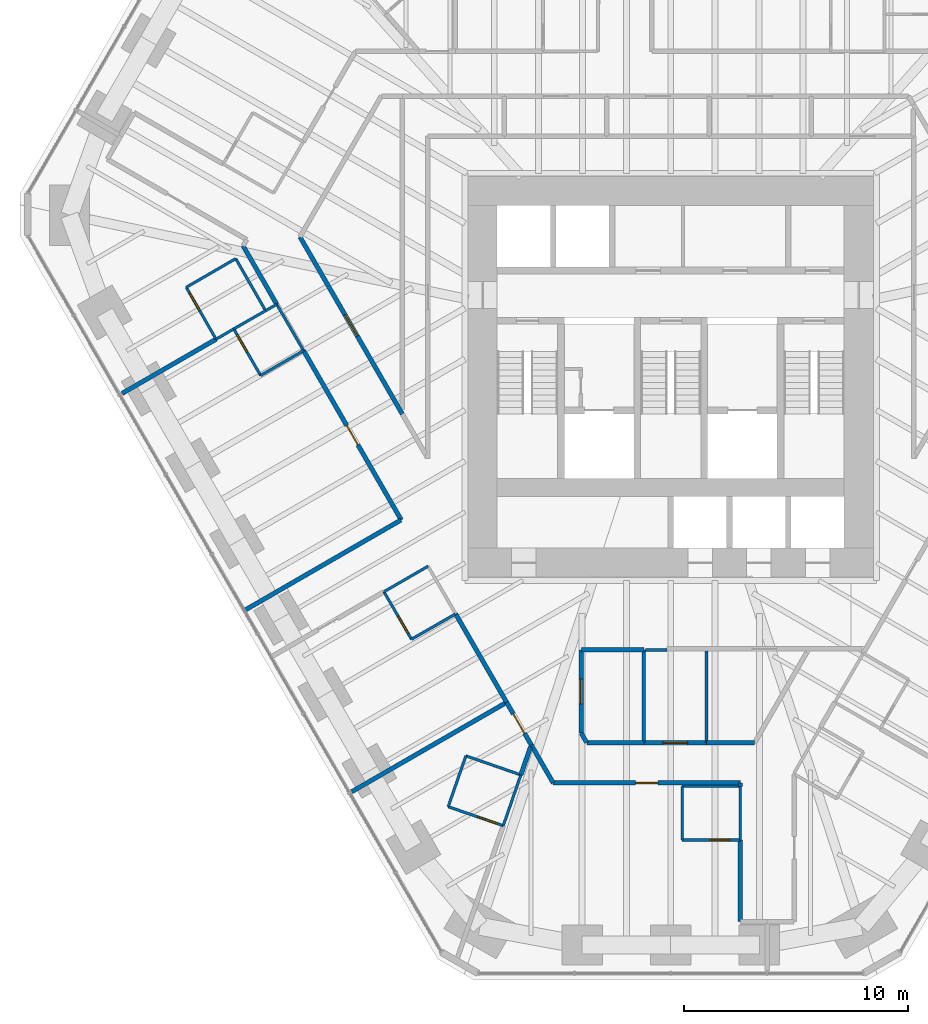
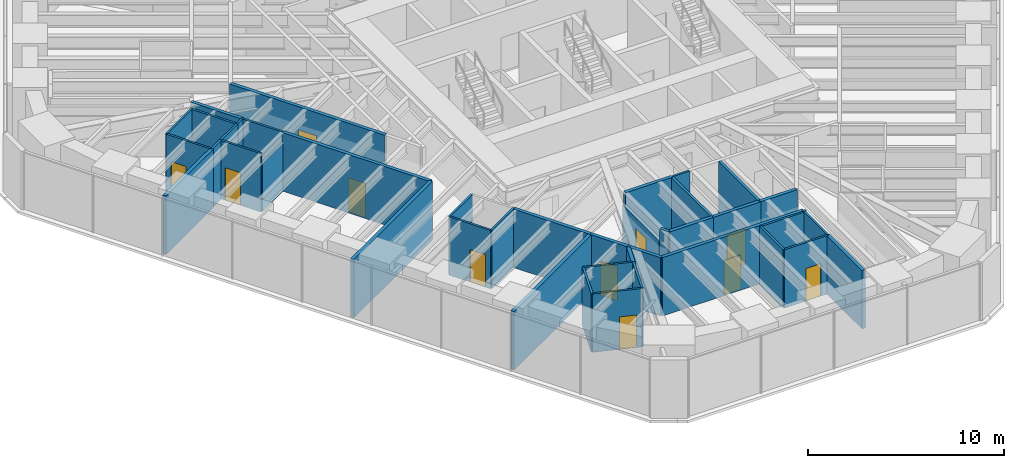
# One storey, part 11 of 17: 42 walls, 11 doors, 11 openings.
"""IFC4 building model written with IfcOpenShell, lengths in metres."""

from ifc_helpers import new_model, si_unit, direction, frame, frame_2d, origin, place, context, subcontext, project, spatial, rectangle, extrude, material, layer, layer_set, type_object, element, fill, save


model = new_model("IFC4")

# Units and contexts
model_context = context("Model", 3, precision=1e-05, world=origin(), true_north=direction((0.0, 1.0)))
body_context = subcontext(model_context, "Body", "Model", "MODEL_VIEW")
ifc_project = project(units=[si_unit("LENGTHUNIT", "METRE"), si_unit("AREAUNIT", "SQUARE_METRE"), si_unit("VOLUMEUNIT", "CUBIC_METRE"), si_unit("PLANEANGLEUNIT", "RADIAN"), si_unit("MASSUNIT", "GRAM", prefix="KILO")], contexts=[model_context])

# Site, building, storey
site_placement = place(None, origin())
site = spatial("IfcSite", under=ifc_project, at=site_placement, CompositionType="ELEMENT")
building_placement = place(site_placement, origin())
building = spatial("IfcBuilding", under=site, at=building_placement, Name="Sandreach Pilgrim Tower", CompositionType="ELEMENT")
storey_placement = place(building_placement, frame((0.0, 0.0, 138.60009765625)))
storey = spatial("IfcBuildingStorey", under=building, at=storey_placement, Name="L34", CompositionType="ELEMENT", Elevation=138.60009765625)

# Walls
ifc_material_1 = material(Name="Gypsum board on steel studs", Category="steel")
ifc_layer_1 = layer(ifc_material_1, 0.14990234375)
ifc_layer_set_1 = layer_set([ifc_layer_1], Name="Back of house wall 150")
wall_type_1 = type_object("IfcWallType", Name="Back of house wall 150", PredefinedType="PARTITIONING", material=ifc_layer_set_1)
wall_1_placement = place(storey_placement, frame((-1.199951171875, -13.75, 0.0), z_axis=(0.0, 0.0, 1.0), x_axis=(0.0, -1.0, 0.0)))
element("IfcWall", 1, at=wall_1_placement, inside=storey, type_object=wall_type_1, Name="Back of house wall L34-073", PredefinedType="PARTITIONING", context=body_context, shape_type="SweptSolid", body=[
    extrude(rectangle(XDim=4.139892578125, YDim=0.14990234375, at=frame_2d((2.06982421875, 0.0))), origin(), (0.0, 0.0, 1.0), 3.639892578125),
])
wall_2_placement = place(storey_placement, frame((1.60009765625, -13.800048828125, 0.0), z_axis=(0.0, 0.0, 1.0), x_axis=(0.0, -1.0, 0.0)))
element("IfcWall", 2, at=wall_2_placement, inside=storey, type_object=wall_type_1, Name="Back of house wall L34-079", PredefinedType="PARTITIONING", context=body_context, shape_type="SweptSolid", body=[
    extrude(rectangle(XDim=4.08984375, YDim=0.14990234375, at=frame_2d((2.044921875, 0.0))), origin(), (0.0, 0.0, 1.0), 3.639892578125),
])

# Wall, opening, door
ifc_material_2 = material(Name="Moisture-resistant gypsum board on steel studs", Category="steel")
ifc_layer_2 = layer(ifc_material_2, 0.1201171875)
ifc_layer_set_2 = layer_set([ifc_layer_2], Name="Bathroom partition 120")
wall_type_2 = type_object("IfcWallType", Name="Bathroom partition 120", PredefinedType="PARTITIONING", material=ifc_layer_set_2)
wall_3_placement = place(storey_placement, frame((-21.639892578125, 2.449951171875, 0.0), z_axis=(0.0, 0.0, 1.0), x_axis=(0.497288831399, -0.867585049529, 0.0)))
wall_3 = element("IfcWall", 3, at=wall_3_placement, inside=storey, type_object=wall_type_2, Name="Bathroom partition L34-007", PredefinedType="PARTITIONING", context=body_context, shape_type="SweptSolid", body=[
    extrude(rectangle(XDim=2.674072265625, YDim=0.1201171875, at=frame_2d((1.3369140625, 0.0))), origin(), (0.0, 0.0, 1.0), 3.639892578125),
])
opening_1_placement = place(wall_3_placement, frame((0.300048828125, 0.0, 0.0)))
opening_1 = element("IfcOpeningElement", 4, at=opening_1_placement, cuts=wall_3, Name="Opening D09-14B", PredefinedType="OPENING", context=body_context, shape_type="SweptSolid", body=[
    extrude(rectangle(XDim=0.89990234375, YDim=2.030029296875, at=frame_2d((0.449951171875, 1.01513671875))), frame((0.0, 0.06005859375, 0.0), z_axis=(0.0, -1.0, 0.0), x_axis=(1.0, 0.0, 0.0)), (0.0, 0.0, 1.0), 0.1201171875),
])
ifc_material_3 = material(Name="Timber door, steel frame", Category="steel")
door_type_1 = type_object("IfcDoorType", Name="Bathroom door", OperationType="SINGLE_SWING_LEFT", PredefinedType="DOOR", material=ifc_material_3)
door_1_placement = place(opening_1_placement, origin())
door_1 = element("IfcDoor", 5, at=door_1_placement, inside=storey, type_object=door_type_1, Name="Door 3414B", OperationType="SINGLE_SWING_LEFT", OverallHeight=2.030029296875, OverallWidth=0.89990234375, PredefinedType="DOOR", context=body_context, shape_type="SweptSolid", body=[
    extrude(rectangle(XDim=0.89990234375, YDim=2.030029296875, at=frame_2d((0.449951171875, 1.01513671875))), frame((0.0, 0.02490234375, 0.0), z_axis=(0.0, -1.0, 0.0), x_axis=(1.0, 0.0, 0.0)), (0.0, 0.0, 1.0), 0.050048828125),
])
fill(opening_1, door_1)

# Wall
wall_4_placement = place(storey_placement, frame((-20.31005859375, 0.1298828125, 0.0), z_axis=(0.0, 0.0, 1.0), x_axis=(0.864088651014, 0.503339649926, 0.0)))
element("IfcWall", 6, at=wall_4_placement, inside=storey, type_object=wall_type_2, Name="Bathroom partition L34-008", PredefinedType="PARTITIONING", context=body_context, shape_type="SweptSolid", body=[
    extrude(rectangle(XDim=0.914306640625, YDim=0.1201171875, at=frame_2d((0.45703125, 0.0))), origin(), (0.0, 0.0, 1.0), 3.639892578125),
])

# Wall, opening, door
wall_5_placement = place(storey_placement, frame((-19.52001953125, 0.590087890625, 0.0), z_axis=(0.0, 0.0, 1.0), x_axis=(0.499693115345, -0.866202511239, 0.0)))
wall_5 = element("IfcWall", 7, at=wall_5_placement, inside=storey, type_object=wall_type_2, Name="Bathroom partition L34-010", PredefinedType="PARTITIONING", context=body_context, shape_type="SweptSolid", body=[
    extrude(rectangle(XDim=2.4013671875, YDim=0.1201171875, at=frame_2d((1.20068359375, 0.0))), origin(), (0.0, 0.0, 1.0), 3.639892578125),
])
opening_2_placement = place(wall_5_placement, frame((0.300048828125, 0.0, 0.0)))
opening_2 = element("IfcOpeningElement", 8, at=opening_2_placement, cuts=wall_5, Name="Opening D09-13B", PredefinedType="OPENING", context=body_context, shape_type="SweptSolid", body=[
    extrude(rectangle(XDim=0.89990234375, YDim=2.030029296875, at=frame_2d((0.449951171875, 1.01513671875))), frame((0.0, 0.06005859375, 0.0), z_axis=(0.0, -1.0, 0.0), x_axis=(1.0, 0.0, 0.0)), (0.0, 0.0, 1.0), 0.1201171875),
])
door_2_placement = place(opening_2_placement, origin())
door_2 = element("IfcDoor", 9, at=door_2_placement, inside=storey, type_object=door_type_1, Name="Door 3413B", OperationType="SINGLE_SWING_LEFT", OverallHeight=2.030029296875, OverallWidth=0.89990234375, PredefinedType="DOOR", context=body_context, shape_type="SweptSolid", body=[
    extrude(rectangle(XDim=0.89990234375, YDim=2.030029296875, at=frame_2d((0.449951171875, 1.01513671875))), frame((0.0, 0.02490234375, 0.0), z_axis=(0.0, -1.0, 0.0), x_axis=(1.0, 0.0, 0.0)), (0.0, 0.0, 1.0), 0.050048828125),
])
fill(opening_2, door_2)

# Walls
wall_6_placement = place(storey_placement, frame((-19.52001953125, 0.590087890625, 0.0), z_axis=(0.0, 0.0, 1.0), x_axis=(0.868013991935, 0.496539736381, 0.0)))
element("IfcWall", 10, at=wall_6_placement, inside=storey, type_object=wall_type_2, Name="Bathroom partition L34-011", PredefinedType="PARTITIONING", context=body_context, shape_type="SweptSolid", body=[
    extrude(rectangle(XDim=1.6396484375, YDim=0.1201171875, at=frame_2d((0.81982421875, 0.0))), origin(), (0.0, 0.0, 1.0), 3.639892578125),
])
wall_7_placement = place(storey_placement, frame((-19.429931640625, 3.72998046875, 0.0), z_axis=(0.0, 0.0, 1.0), x_axis=(-0.865328095335, -0.50120583339, 0.0)))
element("IfcWall", 11, at=wall_7_placement, inside=storey, type_object=wall_type_2, Name="Bathroom partition L34-012", PredefinedType="PARTITIONING", context=body_context, shape_type="SweptSolid", body=[
    extrude(rectangle(XDim=2.553955078125, YDim=0.1201171875, at=frame_2d((1.27685546875, 0.0))), origin(), (0.0, 0.0, 1.0), 3.639892578125),
])
wall_8_placement = place(storey_placement, frame((-18.320068359375, -1.489990234375, 0.0), z_axis=(0.0, 0.0, 1.0), x_axis=(0.865732595383, 0.500506816428, 0.0)))
element("IfcWall", 12, at=wall_8_placement, inside=storey, type_object=wall_type_2, Name="Bathroom partition L34-017", PredefinedType="PARTITIONING", context=body_context, shape_type="SweptSolid", body=[
    extrude(rectangle(XDim=2.218017578125, YDim=0.1201171875, at=frame_2d((1.10888671875, 0.0))), origin(), (0.0, 0.0, 1.0), 3.022705078125),
])
wall_9_placement = place(storey_placement, frame((-18.10009765625, 1.409912109375, 0.0), z_axis=(0.0, 0.0, 1.0), x_axis=(-0.497288831399, 0.867585049529, 0.0)))
element("IfcWall", 13, at=wall_9_placement, inside=storey, type_object=wall_type_2, Name="Bathroom partition L34-018", PredefinedType="PARTITIONING", context=body_context, shape_type="SweptSolid", body=[
    extrude(rectangle(XDim=2.674072265625, YDim=0.1201171875, at=frame_2d((1.3369140625, 0.0))), origin(), (0.0, 0.0, 1.0), 3.639892578125),
])
wall_10_placement = place(storey_placement, frame((-18.0966796875, 1.404296875, 0.0), z_axis=(0.0, 0.0, 1.0), x_axis=(0.866823419736, 0.498615241441, 0.0)))
element("IfcWall", 14, at=wall_10_placement, inside=storey, type_object=wall_type_2, Name="Bathroom partition L34-019", PredefinedType="PARTITIONING", context=body_context, shape_type="SweptSolid", body=[
    extrude(rectangle(XDim=0.57275390625, YDim=0.1201171875, at=frame_2d((0.286376953125, 0.0))), origin(), (0.0, 0.0, 1.0), 3.639892578125),
])
wall_11_placement = place(storey_placement, frame((-17.60009765625, 1.68994140625, 0.0), z_axis=(0.0, 0.0, 1.0), x_axis=(0.501623408317, -0.865086097581, 0.0)))
element("IfcWall", 15, at=wall_11_placement, inside=storey, type_object=wall_type_2, Name="Bathroom partition L34-022", PredefinedType="PARTITIONING", context=body_context, shape_type="SweptSolid", body=[
    extrude(rectangle(XDim=2.392578125, YDim=0.1201171875, at=frame_2d((1.1962890625, 0.0))), origin(), (0.0, 0.0, 1.0), 3.639892578125),
])

# Wall, opening, door
wall_12_placement = place(storey_placement, frame((-12.81005859375, -11.14990234375, 0.0), z_axis=(0.0, 0.0, 1.0), x_axis=(0.501813488763, -0.864975850817, 0.0)))
wall_12 = element("IfcWall", 16, at=wall_12_placement, inside=storey, type_object=wall_type_2, Name="Bathroom partition L34-030", PredefinedType="PARTITIONING", context=body_context, shape_type="SweptSolid", body=[
    extrude(rectangle(XDim=2.451171875, YDim=0.1201171875, at=frame_2d((1.2255859375, 0.0))), origin(), (0.0, 0.0, 1.0), 3.639892578125),
])
opening_3_placement = place(wall_12_placement, frame((1.2509765625, 0.0, 0.0)))
opening_3 = element("IfcOpeningElement", 17, at=opening_3_placement, cuts=wall_12, Name="Opening D09-12B", PredefinedType="OPENING", context=body_context, shape_type="SweptSolid", body=[
    extrude(rectangle(XDim=0.89990234375, YDim=2.030029296875, at=frame_2d((0.449951171875, 1.01513671875))), frame((0.0, 0.06005859375, 0.0), z_axis=(0.0, -1.0, 0.0), x_axis=(1.0, 0.0, 0.0)), (0.0, 0.0, 1.0), 0.1201171875),
])
door_3_placement = place(opening_3_placement, origin())
door_3 = element("IfcDoor", 18, at=door_3_placement, inside=storey, type_object=door_type_1, Name="Door 3412B", OperationType="SINGLE_SWING_RIGHT", OverallHeight=2.030029296875, OverallWidth=0.89990234375, PredefinedType="DOOR", context=body_context, shape_type="SweptSolid", body=[
    extrude(rectangle(XDim=0.89990234375, YDim=2.030029296875, at=frame_2d((0.449951171875, 1.01513671875))), frame((0.0, 0.02490234375, 0.0), z_axis=(0.0, -1.0, 0.0), x_axis=(1.0, 0.0, 0.0)), (0.0, 0.0, 1.0), 0.050048828125),
])
fill(opening_3, door_3)

# Walls
wall_13_placement = place(storey_placement, frame((-12.81005859375, -11.14990234375, 0.0), z_axis=(0.0, 0.0, 1.0), x_axis=(0.865543766642, 0.500833293649, 0.0)))
element("IfcWall", 19, at=wall_13_placement, inside=storey, type_object=wall_type_2, Name="Bathroom partition L34-031", PredefinedType="PARTITIONING", context=body_context, shape_type="SweptSolid", body=[
    extrude(rectangle(XDim=2.27587890625, YDim=0.1201171875, at=frame_2d((1.137939453125, 0.0))), origin(), (0.0, 0.0, 1.0), 3.639892578125),
])
wall_14_placement = place(storey_placement, frame((-11.580078125, -13.27001953125, 0.0), z_axis=(0.0, 0.0, 1.0), x_axis=(0.867428373024, 0.497562074192, 0.0)))
element("IfcWall", 20, at=wall_14_placement, inside=storey, type_object=wall_type_2, Name="Bathroom partition L34-039", PredefinedType="PARTITIONING", context=body_context, shape_type="SweptSolid", body=[
    extrude(rectangle(XDim=2.271240234375, YDim=0.1201171875, at=frame_2d((1.1357421875, 0.0))), origin(), (0.0, 0.0, 1.0), 3.639892578125),
])

# Wall, opening, door
wall_15_placement = place(storey_placement, frame((-9.93994140625, -20.75, 0.0), z_axis=(0.0, 0.0, 1.0), x_axis=(0.94515546045, -0.326620813149, 0.0)))
wall_15 = element("IfcWall", 21, at=wall_15_placement, inside=storey, type_object=wall_type_2, Name="Bathroom partition L34-045", PredefinedType="PARTITIONING", context=body_context, shape_type="SweptSolid", body=[
    extrude(rectangle(XDim=2.602783203125, YDim=0.1201171875, at=frame_2d((1.30126953125, 0.0))), origin(), (0.0, 0.0, 1.0), 3.639892578125),
])
opening_4_placement = place(wall_15_placement, frame((1.402587890625, 0.0, 0.0)))
opening_4 = element("IfcOpeningElement", 22, at=opening_4_placement, cuts=wall_15, Name="Opening D09-11B", PredefinedType="OPENING", context=body_context, shape_type="SweptSolid", body=[
    extrude(rectangle(XDim=0.89990234375, YDim=2.030029296875, at=frame_2d((0.449951171875, 1.01513671875))), frame((0.0, 0.06005859375, 0.0), z_axis=(0.0, -1.0, 0.0), x_axis=(1.0, 0.0, 0.0)), (0.0, 0.0, 1.0), 0.1201171875),
])
door_4_placement = place(opening_4_placement, origin())
door_4 = element("IfcDoor", 23, at=door_4_placement, inside=storey, type_object=door_type_1, Name="Door 3411B", OperationType="SINGLE_SWING_RIGHT", OverallHeight=2.030029296875, OverallWidth=0.89990234375, PredefinedType="DOOR", context=body_context, shape_type="SweptSolid", body=[
    extrude(rectangle(XDim=0.89990234375, YDim=2.030029296875, at=frame_2d((0.449951171875, 1.01513671875))), frame((0.0, 0.02490234375, 0.0), z_axis=(0.0, -1.0, 0.0), x_axis=(1.0, 0.0, 0.0)), (0.0, 0.0, 1.0), 0.050048828125),
])
fill(opening_4, door_4)

# Walls
wall_16_placement = place(storey_placement, frame((-9.14990234375, -18.47998046875, 0.0), z_axis=(0.0, 0.0, 1.0), x_axis=(-0.328693963496, -0.944436487203, 0.0)))
element("IfcWall", 24, at=wall_16_placement, inside=storey, type_object=wall_type_2, Name="Bathroom partition L34-050", PredefinedType="PARTITIONING", context=body_context, shape_type="SweptSolid", body=[
    extrude(rectangle(XDim=2.403564453125, YDim=0.1201171875, at=frame_2d((1.20166015625, 0.0))), origin(), (0.0, 0.0, 1.0), 3.639892578125),
])
wall_17_placement = place(storey_placement, frame((-7.47998046875, -21.60009765625, 0.0), z_axis=(0.0, 0.0, 1.0), x_axis=(0.326492166492, 0.945199907543, 0.0)))
element("IfcWall", 25, at=wall_17_placement, inside=storey, type_object=wall_type_2, Name="Bathroom partition L34-051", PredefinedType="PARTITIONING", context=body_context, shape_type="SweptSolid", body=[
    extrude(rectangle(XDim=2.400390625, YDim=0.1201171875, at=frame_2d((1.2001953125, 0.0))), origin(), (0.0, 0.0, 1.0), 3.639892578125),
])
wall_18_placement = place(storey_placement, frame((-6.699951171875, -19.330078125, 0.0), z_axis=(0.0, 0.0, 1.0), x_axis=(-0.944753042377, 0.327782990589, 0.0)))
element("IfcWall", 26, at=wall_18_placement, inside=storey, type_object=wall_type_2, Name="Bathroom partition L34-056", PredefinedType="PARTITIONING", context=body_context, shape_type="SweptSolid", body=[
    extrude(rectangle(XDim=2.593505859375, YDim=0.1201171875, at=frame_2d((1.296875, 0.0))), origin(), (0.0, 0.0, 1.0), 3.639892578125),
])
wall_19_placement = place(storey_placement, frame((-1.125, -13.75, 0.0), z_axis=(0.0, 0.0, 1.0), x_axis=(1.0, 0.0, 0.0)))
element("IfcWall", 27, at=wall_19_placement, inside=storey, type_object=wall_type_2, Name="Bathroom partition L34-074", PredefinedType="PARTITIONING", context=body_context, shape_type="SweptSolid", body=[
    extrude(rectangle(XDim=0.955078125, YDim=0.1201171875, at=frame_2d((0.4775390625, 0.0))), origin(), (0.0, 0.0, 1.0), 3.639892578125),
])

# Wall, opening, door
wall_20_placement = place(storey_placement, frame((0.510009765625, -22.239990234375, 0.0), z_axis=(0.0, 0.0, 1.0), x_axis=(1.0, 0.0, 0.0)))
wall_20 = element("IfcWall", 28, at=wall_20_placement, inside=storey, type_object=wall_type_2, Name="Bathroom partition L34-076", PredefinedType="PARTITIONING", context=body_context, shape_type="SweptSolid", body=[
    extrude(rectangle(XDim=2.60009765625, YDim=0.1201171875, at=frame_2d((1.300048828125, 0.0))), origin(), (0.0, 0.0, 1.0), 3.639892578125),
])
opening_5_placement = place(wall_20_placement, frame((1.25, 0.0, 0.0)))
opening_5 = element("IfcOpeningElement", 29, at=opening_5_placement, cuts=wall_20, Name="Opening D09-10B", PredefinedType="OPENING", context=body_context, shape_type="SweptSolid", body=[
    extrude(rectangle(XDim=0.89990234375, YDim=2.030029296875, at=frame_2d((0.449951171875, 1.01513671875))), frame((0.0, 0.06005859375, 0.0), z_axis=(0.0, -1.0, 0.0), x_axis=(1.0, 0.0, 0.0)), (0.0, 0.0, 1.0), 0.1201171875),
])
door_5_placement = place(opening_5_placement, origin())
door_5 = element("IfcDoor", 30, at=door_5_placement, inside=storey, type_object=door_type_1, Name="Door 3410B", OperationType="SINGLE_SWING_RIGHT", OverallHeight=2.030029296875, OverallWidth=0.89990234375, PredefinedType="DOOR", context=body_context, shape_type="SweptSolid", body=[
    extrude(rectangle(XDim=0.89990234375, YDim=2.030029296875, at=frame_2d((0.449951171875, 1.01513671875))), frame((0.0, 0.02490234375, 0.0), z_axis=(0.0, -1.0, 0.0), x_axis=(1.0, 0.0, 0.0)), (0.0, 0.0, 1.0), 0.050048828125),
])
fill(opening_5, door_5)

# Walls
wall_21_placement = place(storey_placement, frame((0.510009765625, -19.840087890625, 0.0), z_axis=(0.0, 0.0, 1.0), x_axis=(0.0, -1.0, 0.0)))
element("IfcWall", 31, at=wall_21_placement, inside=storey, type_object=wall_type_2, Name="Bathroom partition L34-077", PredefinedType="PARTITIONING", context=body_context, shape_type="SweptSolid", body=[
    extrude(rectangle(XDim=2.39990234375, YDim=0.1201171875, at=frame_2d((1.199951171875, 0.0))), origin(), (0.0, 0.0, 1.0), 3.639892578125),
])
wall_22_placement = place(storey_placement, frame((3.110107421875, -19.840087890625, 0.0), z_axis=(0.0, 0.0, 1.0), x_axis=(-1.0, 0.0, 0.0)))
element("IfcWall", 32, at=wall_22_placement, inside=storey, type_object=wall_type_2, Name="Bathroom partition L34-084", PredefinedType="PARTITIONING", context=body_context, shape_type="SweptSolid", body=[
    extrude(rectangle(XDim=2.60009765625, YDim=0.1201171875, at=frame_2d((1.300048828125, 0.0))), origin(), (0.0, 0.0, 1.0), 3.639892578125),
])
wall_23_placement = place(storey_placement, frame((3.110107421875, -19.840087890625, 0.0), z_axis=(0.0, 0.0, 1.0), x_axis=(0.0, -1.0, 0.0)))
element("IfcWall", 33, at=wall_23_placement, inside=storey, type_object=wall_type_2, Name="Bathroom partition L34-085", PredefinedType="PARTITIONING", context=body_context, shape_type="SweptSolid", body=[
    extrude(rectangle(XDim=2.39990234375, YDim=0.1201171875, at=frame_2d((1.199951171875, 0.0))), origin(), (0.0, 0.0, 1.0), 3.639892578125),
])
ifc_material_4 = material(Name="Gypsum board on steel studs, two layers each side", Category="steel")
ifc_layer_3 = layer(ifc_material_4, 0.199951171875)
ifc_layer_set_3 = layer_set([ifc_layer_3], Name="Corridor wall 200")
wall_type_3 = type_object("IfcWallType", Name="Corridor wall 200", PredefinedType="PARTITIONING", material=ifc_layer_set_3)
wall_24_placement = place(storey_placement, frame((-19.10009765625, 4.300048828125, 0.0), z_axis=(0.0, 0.0, 1.0), x_axis=(0.498268459914, -0.867022803538, 0.0)))
element("IfcWall", 34, at=wall_24_placement, inside=storey, type_object=wall_type_3, Name="Corridor wall L34-014", PredefinedType="PARTITIONING", context=body_context, shape_type="SweptSolid", body=[
    extrude(rectangle(XDim=3.010498046875, YDim=0.199951171875, at=frame_2d((1.50537109375, 0.0))), origin(), (0.0, 0.0, 1.0), 3.639892578125),
])

# Wall, opening, door
wall_25_placement = place(storey_placement, frame((-16.39990234375, -0.3798828125, 0.0), z_axis=(0.0, 0.0, 1.0), x_axis=(0.499575523811, -0.866270336563, 0.0)))
wall_25 = element("IfcWall", 35, at=wall_25_placement, inside=storey, type_object=wall_type_3, Name="Corridor wall L34-026", PredefinedType="PARTITIONING", context=body_context, shape_type="SweptSolid", body=[
    extrude(rectangle(XDim=8.72705078125, YDim=0.199951171875, at=frame_2d((4.363525390625, 0.0))), origin(), (0.0, 0.0, 1.0), 3.639892578125),
])
opening_6_placement = place(wall_25_placement, frame((3.863525390625, 0.0, 0.0)))
opening_6 = element("IfcOpeningElement", 36, at=opening_6_placement, cuts=wall_25, Name="Opening D10-13", PredefinedType="OPENING", context=body_context, shape_type="SweptSolid", body=[
    extrude(rectangle(XDim=1.0, YDim=2.1298828125, at=frame_2d((0.5, 1.06494140625))), frame((0.0, 0.10009765625, 0.0), z_axis=(0.0, -1.0, 0.0), x_axis=(1.0, 0.0, 0.0)), (0.0, 0.0, 1.0), 0.199951171875),
])
ifc_material_5 = material(Name="Steel door and frame", Category="steel")
door_type_2 = type_object("IfcDoorType", Name="Guest room entry door", OperationType="SINGLE_SWING_LEFT", PredefinedType="DOOR", material=ifc_material_5)
door_6_placement = place(opening_6_placement, origin())
door_6 = element("IfcDoor", 37, at=door_6_placement, inside=storey, type_object=door_type_2, Name="Door 3413", OperationType="SINGLE_SWING_LEFT", OverallHeight=2.1298828125, OverallWidth=1.0, PredefinedType="DOOR", context=body_context, shape_type="SweptSolid", body=[
    extrude(rectangle(XDim=1.0, YDim=2.1298828125, at=frame_2d((0.5, 1.06494140625))), frame((0.0, 0.02490234375, 0.0), z_axis=(0.0, -1.0, 0.0), x_axis=(1.0, 0.0, 0.0)), (0.0, 0.0, 1.0), 0.050048828125),
])
fill(opening_6, door_6)

# Wall
wall_26_placement = place(storey_placement, frame((-12.052978515625, -7.947509765625, 0.0), z_axis=(0.0, 0.0, 1.0), x_axis=(-0.865882003792, -0.500248293859, 0.0)))
element("IfcWall", 38, at=wall_26_placement, inside=storey, type_object=wall_type_3, Name="Corridor wall L34-035", PredefinedType="PARTITIONING", context=body_context, shape_type="SweptSolid", body=[
    extrude(rectangle(XDim=8.05078125, YDim=0.199951171875, at=frame_2d((4.025390625, 0.0))), origin(), (0.0, 0.0, 1.0), 3.639892578125),
])

# Wall, opening, door
wall_27_placement = place(storey_placement, frame((-11.989990234375, -3.2099609375, 0.0), z_axis=(0.0, 0.0, 1.0), x_axis=(-0.500269138002, 0.865869961116, 0.0)))
wall_27 = element("IfcWall", 39, at=wall_27_placement, inside=storey, type_object=wall_type_3, Name="Corridor wall L34-036", PredefinedType="PARTITIONING", context=body_context, shape_type="SweptSolid", body=[
    extrude(rectangle(XDim=9.13525390625, YDim=0.199951171875, at=frame_2d((4.567626953125, 0.0))), origin(), (0.0, 0.0, 1.0), 3.639892578125),
])
opening_7_placement = place(wall_27_placement, frame((4.017578125, 0.0, 0.0)))
opening_7 = element("IfcOpeningElement", 40, at=opening_7_placement, cuts=wall_27, Name="Opening D11H-M01", PredefinedType="OPENING", context=body_context, shape_type="SweptSolid", body=[
    extrude(rectangle(XDim=1.10009765625, YDim=2.199951171875, at=frame_2d((0.550048828125, 1.10009765625))), frame((0.0, 0.10009765625, 0.0), z_axis=(0.0, -1.0, 0.0), x_axis=(1.0, 0.0, 0.0)), (0.0, 0.0, 1.0), 0.199951171875),
])
ifc_material_6 = material(Name="Steel door and frame", Category="steel")
door_type_3 = type_object("IfcDoorType", Name="Back of house door", OperationType="SINGLE_SWING_LEFT", PredefinedType="DOOR", material=ifc_material_6)
door_7_placement = place(opening_7_placement, origin())
door_7 = element("IfcDoor", 41, at=door_7_placement, inside=storey, type_object=door_type_3, Name="Door 34M01", OperationType="SINGLE_SWING_LEFT", OverallHeight=2.199951171875, OverallWidth=1.10009765625, PredefinedType="DOOR", context=body_context, shape_type="SweptSolid", body=[
    extrude(rectangle(XDim=1.10009765625, YDim=2.199951171875, at=frame_2d((0.550048828125, 1.10009765625))), frame((0.0, 0.02490234375, 0.0), z_axis=(0.0, -1.0, 0.0), x_axis=(1.0, 0.0, 0.0)), (0.0, 0.0, 1.0), 0.050048828125),
])
fill(opening_7, door_7)

# Wall
wall_28_placement = place(storey_placement, frame((-9.610107421875, -12.139892578125, 0.0), z_axis=(0.0, 0.0, 1.0), x_axis=(0.499898533245, -0.866083977718, 0.0)))
element("IfcWall", 42, at=wall_28_placement, inside=storey, type_object=wall_type_3, Name="Corridor wall L34-048", PredefinedType="PARTITIONING", context=body_context, shape_type="SweptSolid", body=[
    extrude(rectangle(XDim=4.56103515625, YDim=0.199951171875, at=frame_2d((2.280517578125, 0.0))), origin(), (0.0, 0.0, 1.0), 3.639892578125),
])

# Wall, opening, door
wall_29_placement = place(storey_placement, frame((-7.3310546875, -16.090576171875, 0.0), z_axis=(0.0, 0.0, 1.0), x_axis=(0.501518373175, -0.865146994081, 0.0)))
wall_29 = element("IfcWall", 43, at=wall_29_placement, inside=storey, type_object=wall_type_3, Name="Corridor wall L34-055", PredefinedType="PARTITIONING", context=body_context, shape_type="SweptSolid", body=[
    extrude(rectangle(XDim=2.195556640625, YDim=0.199951171875, at=frame_2d((1.09765625, 0.0))), origin(), (0.0, 0.0, 1.0), 3.639892578125),
])
opening_8_placement = place(wall_29_placement, frame((0.59765625, 0.0, 0.0)))
opening_8 = element("IfcOpeningElement", 44, at=opening_8_placement, cuts=wall_29, Name="Opening D10-11", PredefinedType="OPENING", context=body_context, shape_type="SweptSolid", body=[
    extrude(rectangle(XDim=1.0, YDim=2.1298828125, at=frame_2d((0.5, 1.06494140625))), frame((0.0, 0.10009765625, 0.0), z_axis=(0.0, -1.0, 0.0), x_axis=(1.0, 0.0, 0.0)), (0.0, 0.0, 1.0), 0.199951171875),
])
door_8_placement = place(opening_8_placement, origin())
door_8 = element("IfcDoor", 45, at=door_8_placement, inside=storey, type_object=door_type_2, Name="Door 3411", OperationType="SINGLE_SWING_LEFT", OverallHeight=2.1298828125, OverallWidth=1.0, PredefinedType="DOOR", context=body_context, shape_type="SweptSolid", body=[
    extrude(rectangle(XDim=1.0, YDim=2.1298828125, at=frame_2d((0.5, 1.06494140625))), frame((0.0, 0.02490234375, 0.0), z_axis=(0.0, -1.0, 0.0), x_axis=(1.0, 0.0, 0.0)), (0.0, 0.0, 1.0), 0.050048828125),
])
fill(opening_8, door_8)

# Wall
wall_30_placement = place(storey_placement, frame((-6.22998046875, -17.989990234375, 0.0), z_axis=(0.0, 0.0, 1.0), x_axis=(0.499431599995, -0.866353321068, 0.0)))
element("IfcWall", 46, at=wall_30_placement, inside=storey, type_object=wall_type_3, Name="Corridor wall L34-058", PredefinedType="PARTITIONING", context=body_context, shape_type="SweptSolid", body=[
    extrude(rectangle(XDim=1.962158203125, YDim=0.199951171875, at=frame_2d((0.98095703125, 0.0))), origin(), (0.0, 0.0, 1.0), 3.639892578125),
])

# Wall, opening, door
wall_31_placement = place(storey_placement, frame((-5.25, -19.68994140625, 0.0), z_axis=(0.0, 0.0, 1.0), x_axis=(1.0, 0.0, 0.0)))
wall_31 = element("IfcWall", 47, at=wall_31_placement, inside=storey, type_object=wall_type_3, Name="Corridor wall L34-061", PredefinedType="PARTITIONING", context=body_context, shape_type="SweptSolid", body=[
    extrude(rectangle(XDim=8.360107421875, YDim=0.199951171875, at=frame_2d((4.18017578125, 0.0))), origin(), (0.0, 0.0, 1.0), 3.639892578125),
])
opening_9_placement = place(wall_31_placement, frame((3.679931640625, 0.0, 0.0)))
opening_9 = element("IfcOpeningElement", 48, at=opening_9_placement, cuts=wall_31, Name="Opening D10-10", PredefinedType="OPENING", context=body_context, shape_type="SweptSolid", body=[
    extrude(rectangle(XDim=1.0, YDim=2.1298828125, at=frame_2d((0.5, 1.06494140625))), frame((0.0, 0.10009765625, 0.0), z_axis=(0.0, -1.0, 0.0), x_axis=(1.0, 0.0, 0.0)), (0.0, 0.0, 1.0), 0.199951171875),
])
door_9_placement = place(opening_9_placement, origin())
door_9 = element("IfcDoor", 49, at=door_9_placement, inside=storey, type_object=door_type_2, Name="Door 3410", OperationType="SINGLE_SWING_LEFT", OverallHeight=2.1298828125, OverallWidth=1.0, PredefinedType="DOOR", context=body_context, shape_type="SweptSolid", body=[
    extrude(rectangle(XDim=1.0, YDim=2.1298828125, at=frame_2d((0.5, 1.06494140625))), frame((0.0, 0.02490234375, 0.0), z_axis=(0.0, -1.0, 0.0), x_axis=(1.0, 0.0, 0.0)), (0.0, 0.0, 1.0), 0.050048828125),
])
fill(opening_9, door_9)

wall_32_placement = place(storey_placement, frame((-4.0, -17.4599609375, 0.0), z_axis=(0.0, 0.0, 1.0), x_axis=(0.0, 1.0, 0.0)))
wall_32 = element("IfcWall", 50, at=wall_32_placement, inside=storey, type_object=wall_type_3, Name="Corridor wall L34-062", PredefinedType="PARTITIONING", context=body_context, shape_type="SweptSolid", body=[
    extrude(rectangle(XDim=3.7099609375, YDim=0.199951171875, at=frame_2d((1.85498046875, 0.0))), origin(), (0.0, 0.0, 1.0), 2.8779296875),
])
opening_10_placement = place(wall_32_placement, frame((1.304931640625, 0.0, 0.0)))
opening_10 = element("IfcOpeningElement", 51, at=opening_10_placement, cuts=wall_32, Name="Opening D11H-S2", PredefinedType="OPENING", context=body_context, shape_type="SweptSolid", body=[
    extrude(rectangle(XDim=1.10009765625, YDim=2.199951171875, at=frame_2d((0.550048828125, 1.10009765625))), frame((0.0, 0.10009765625, 0.0), z_axis=(0.0, -1.0, 0.0), x_axis=(1.0, 0.0, 0.0)), (0.0, 0.0, 1.0), 0.199951171875),
])
door_10_placement = place(opening_10_placement, origin())
door_10 = element("IfcDoor", 52, at=door_10_placement, inside=storey, type_object=door_type_3, Name="Door 34S2", OperationType="SINGLE_SWING_LEFT", OverallHeight=2.199951171875, OverallWidth=1.10009765625, PredefinedType="DOOR", context=body_context, shape_type="SweptSolid", body=[
    extrude(rectangle(XDim=1.10009765625, YDim=2.199951171875, at=frame_2d((0.550048828125, 1.10009765625))), frame((0.0, 0.02490234375, 0.0), z_axis=(0.0, -1.0, 0.0), x_axis=(1.0, 0.0, 0.0)), (0.0, 0.0, 1.0), 0.050048828125),
])
fill(opening_10, door_10)

# Walls
wall_33_placement = place(storey_placement, frame((-3.989990234375, -13.75, 0.0), z_axis=(0.0, 0.0, 1.0), x_axis=(1.0, 0.0, 0.0)))
element("IfcWall", 53, at=wall_33_placement, inside=storey, type_object=wall_type_3, Name="Corridor wall L34-063", PredefinedType="PARTITIONING", context=body_context, shape_type="SweptSolid", body=[
    extrude(rectangle(XDim=2.7900390625, YDim=0.199951171875, at=frame_2d((1.39501953125, 0.0))), origin(), (0.0, 0.0, 1.0), 3.639892578125),
])
wall_34_placement = place(storey_placement, frame((-3.75, -17.889892578125, 0.0), z_axis=(0.0, 0.0, 1.0), x_axis=(-0.502680181512, 0.864472460588, 0.0)))
element("IfcWall", 54, at=wall_34_placement, inside=storey, type_object=wall_type_3, Name="Corridor wall L34-064", PredefinedType="PARTITIONING", context=body_context, shape_type="SweptSolid", body=[
    extrude(rectangle(XDim=0.497314453125, YDim=0.199951171875, at=frame_2d((0.24853515625, 0.0))), origin(), (0.0, 0.0, 1.0), 3.639892578125),
])
wall_35_placement = place(storey_placement, frame((-1.199951171875, -17.889892578125, 0.0), z_axis=(0.0, 0.0, 1.0), x_axis=(-1.0, 0.0, 0.0)))
element("IfcWall", 55, at=wall_35_placement, inside=storey, type_object=wall_type_3, Name="Corridor wall L34-072", PredefinedType="PARTITIONING", context=body_context, shape_type="SweptSolid", body=[
    extrude(rectangle(XDim=2.550048828125, YDim=0.199951171875, at=frame_2d((1.27490234375, 0.0))), origin(), (0.0, 0.0, 1.0), 3.639892578125),
])

# Wall, opening, door
wall_36_placement = place(storey_placement, frame((1.60009765625, -17.889892578125, 0.0), z_axis=(0.0, 0.0, 1.0), x_axis=(-1.0, 0.0, 0.0)))
wall_36 = element("IfcWall", 56, at=wall_36_placement, inside=storey, type_object=wall_type_3, Name="Corridor wall L34-078", PredefinedType="PARTITIONING", context=body_context, shape_type="SweptSolid", body=[
    extrude(rectangle(XDim=2.800048828125, YDim=0.199951171875, at=frame_2d((1.39990234375, 0.0))), origin(), (0.0, 0.0, 1.0), 3.639892578125),
])
opening_11_placement = place(wall_36_placement, frame((0.85009765625, 0.0, 0.0)))
opening_11 = element("IfcOpeningElement", 57, at=opening_11_placement, cuts=wall_36, Name="Opening D11H-S3", PredefinedType="OPENING", context=body_context, shape_type="SweptSolid", body=[
    extrude(rectangle(XDim=1.10009765625, YDim=2.199951171875, at=frame_2d((0.550048828125, 1.10009765625))), frame((0.0, 0.10009765625, 0.0), z_axis=(0.0, -1.0, 0.0), x_axis=(1.0, 0.0, 0.0)), (0.0, 0.0, 1.0), 0.199951171875),
])
door_11_placement = place(opening_11_placement, origin())
door_11 = element("IfcDoor", 58, at=door_11_placement, inside=storey, type_object=door_type_3, Name="Door 34S3", OperationType="SINGLE_SWING_LEFT", OverallHeight=2.199951171875, OverallWidth=1.10009765625, PredefinedType="DOOR", context=body_context, shape_type="SweptSolid", body=[
    extrude(rectangle(XDim=1.10009765625, YDim=2.199951171875, at=frame_2d((0.550048828125, 1.10009765625))), frame((0.0, 0.02490234375, 0.0), z_axis=(0.0, -1.0, 0.0), x_axis=(1.0, 0.0, 0.0)), (0.0, 0.0, 1.0), 0.050048828125),
])
fill(opening_11, door_11)

# Walls
wall_37_placement = place(storey_placement, frame((3.110107421875, -22.239990234375, 0.0), z_axis=(0.0, 0.0, 1.0), x_axis=(0.0, -1.0, 0.0)))
element("IfcWall", 59, at=wall_37_placement, inside=storey, type_object=wall_type_3, Name="Corridor wall L34-083", PredefinedType="PARTITIONING", context=body_context, shape_type="SweptSolid", body=[
    extrude(rectangle(XDim=3.639892578125, YDim=0.199951171875, at=frame_2d((1.81982421875, 0.0))), origin(), (0.0, 0.0, 1.0), 3.639892578125),
])
wall_38_placement = place(storey_placement, frame((3.110107421875, -19.699951171875, 0.0), z_axis=(0.0, 0.0, 1.0), x_axis=(0.0, -1.0, 0.0)))
element("IfcWall", 60, at=wall_38_placement, inside=storey, type_object=wall_type_3, Name="Corridor wall L34-086", PredefinedType="PARTITIONING", context=body_context, shape_type="SweptSolid", body=[
    extrude(rectangle(XDim=0.14013671875, YDim=0.199951171875, at=frame_2d((0.070068359375, 0.0))), origin(), (0.0, 0.0, 1.0), 3.639892578125),
])
wall_39_placement = place(storey_placement, frame((3.75, -17.889892578125, 0.0), z_axis=(0.0, 0.0, 1.0), x_axis=(-1.0, 0.0, 0.0)))
element("IfcWall", 61, at=wall_39_placement, inside=storey, type_object=wall_type_3, Name="Corridor wall L34-088", PredefinedType="PARTITIONING", context=body_context, shape_type="SweptSolid", body=[
    extrude(rectangle(XDim=2.14990234375, YDim=0.199951171875, at=frame_2d((1.074951171875, 0.0))), origin(), (0.0, 0.0, 1.0), 3.639892578125),
])
ifc_material_7 = material(Name="Double steel stud acoustic wall, gypsum board", Category="steel")
ifc_layer_4 = layer(ifc_material_7, 0.199951171875)
ifc_layer_set_4 = layer_set([ifc_layer_4], Name="Party wall 200")
wall_type_4 = type_object("IfcWallType", Name="Party wall 200", PredefinedType="PARTITIONING", material=ifc_layer_set_4)
wall_40_placement = place(storey_placement, frame((-24.506103515625, -2.2900390625, 0.0), z_axis=(0.0, 0.0, 1.0), x_axis=(0.86626361228, 0.499587183622, 0.0)))
element("IfcWall", 62, at=wall_40_placement, inside=storey, type_object=wall_type_4, Name="Party wall L34-005", PredefinedType="PARTITIONING", context=body_context, shape_type="SweptSolid", body=[
    extrude(rectangle(XDim=4.84375, YDim=0.199951171875, at=frame_2d((2.421875, 0.0))), origin(), (0.0, 0.0, 1.0), 3.639892578125),
])
wall_41_placement = place(storey_placement, frame((-14.24609375, -20.080078125, 0.0), z_axis=(0.0, 0.0, 1.0), x_axis=(0.866178955952, 0.49973394548, 0.0)))
element("IfcWall", 63, at=wall_41_placement, inside=storey, type_object=wall_type_4, Name="Party wall L34-028", PredefinedType="PARTITIONING", context=body_context, shape_type="SweptSolid", body=[
    extrude(rectangle(XDim=7.969482421875, YDim=0.199951171875, at=frame_2d((3.98486328125, 0.0))), origin(), (0.0, 0.0, 1.0), 3.639892578125),
])
wall_42_placement = place(storey_placement, frame((-6.6962890625, -19.331298828125, 0.0), z_axis=(0.0, 0.0, 1.0), x_axis=(0.328298231075, 0.944574121746, 0.0)))
element("IfcWall", 64, at=wall_42_placement, inside=storey, type_object=wall_type_4, Name="Party wall L34-057", PredefinedType="PARTITIONING", context=body_context, shape_type="SweptSolid", body=[
    extrude(rectangle(XDim=1.320068359375, YDim=0.199951171875, at=frame_2d((0.66015625, 0.0))), origin(), (0.0, 0.0, 1.0), 3.639892578125),
])

save(model, "model.ifc")
